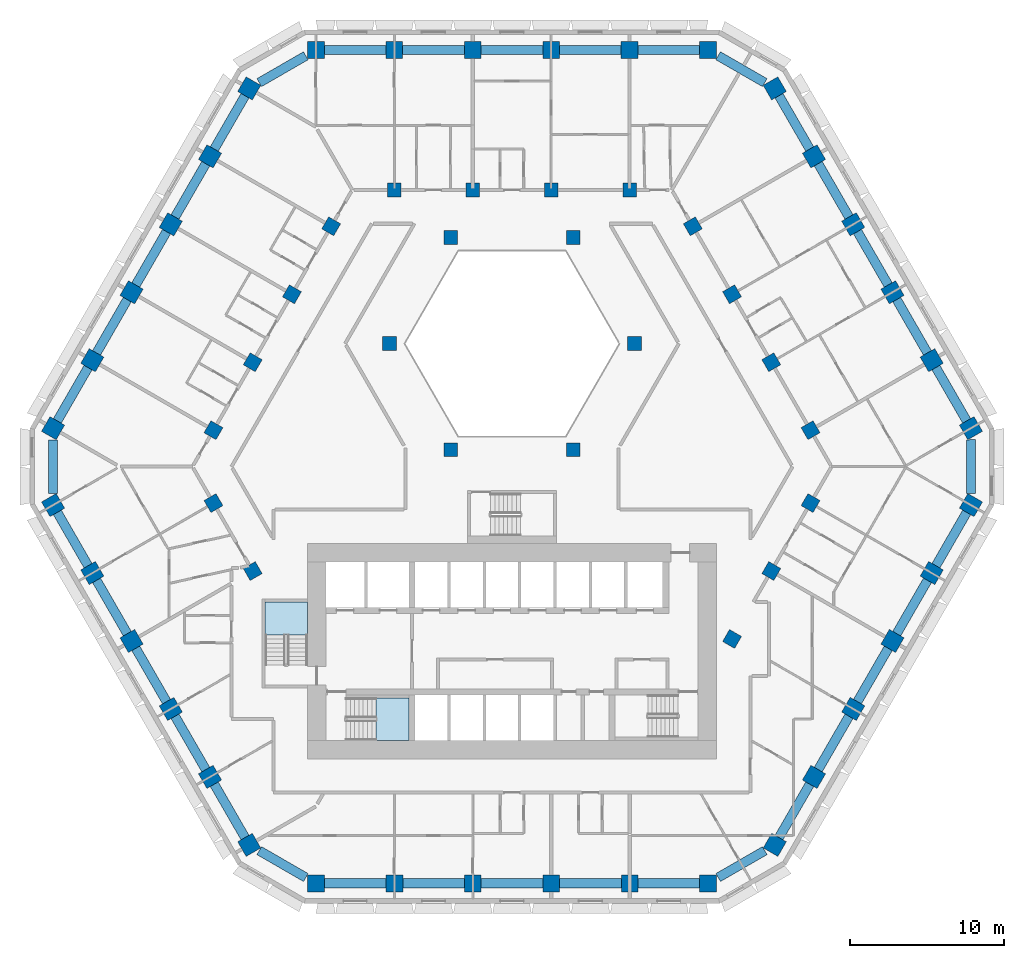
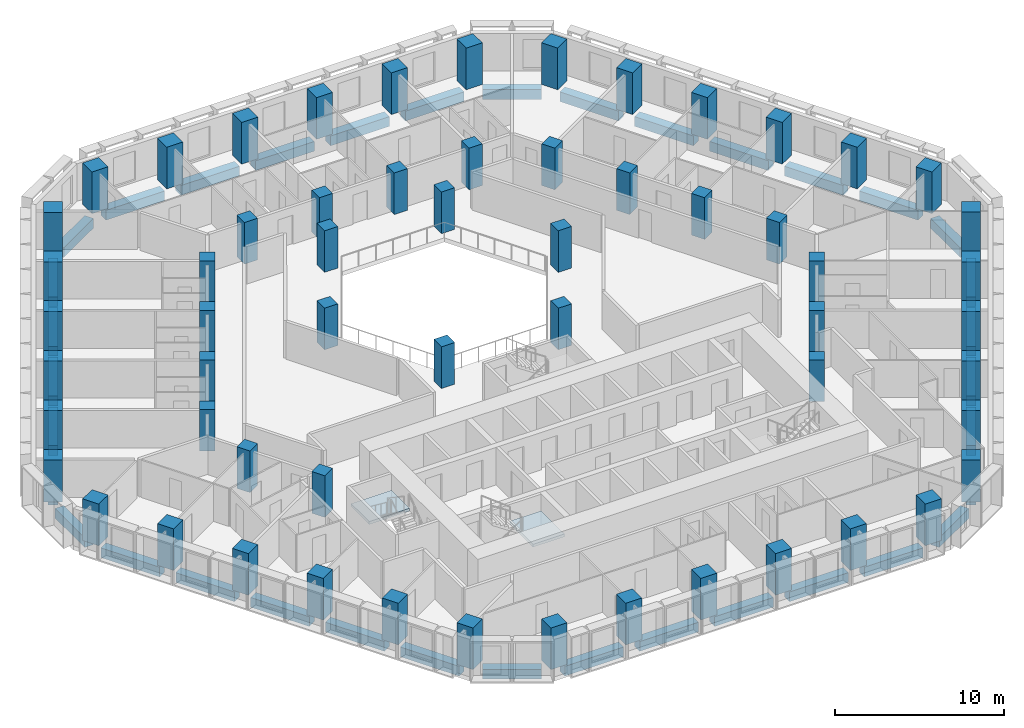
# One storey, part 1 of 16: 59 columns, 36 beams, 2 slabs, 2 elements without a shape of their own.
"""IFC4 building model written with IfcOpenShell, lengths in metres."""

from ifc_helpers import new_model, si_unit, direction, frame, origin, origin_2d, place, context, subcontext, project, spatial, polyline, rectangle, outline, extrude, material, layer, layer_set, material_profile, profile_set, type_object, element, aggregate, save


model = new_model("IFC4")

# Units and contexts
model_context = context("Model", 3, precision=1e-05, world=origin(), true_north=direction((0.0, 1.0)))
body_context = subcontext(model_context, "Body", "Model", "MODEL_VIEW")
ifc_project = project(units=[si_unit("LENGTHUNIT", "METRE"), si_unit("AREAUNIT", "SQUARE_METRE"), si_unit("VOLUMEUNIT", "CUBIC_METRE"), si_unit("PLANEANGLEUNIT", "RADIAN"), si_unit("MASSUNIT", "GRAM", prefix="KILO")], contexts=[model_context])

# Site, building, storey
site_placement = place(None, origin())
site = spatial("IfcSite", under=ifc_project, at=site_placement, CompositionType="ELEMENT")
building_placement = place(site_placement, origin())
building = spatial("IfcBuilding", under=site, at=building_placement, Name="Beryl Residences", CompositionType="ELEMENT")
storey_placement = place(building_placement, frame((0.0, 0.0, 26.39990234375)))
storey = spatial("IfcBuildingStorey", under=building, at=storey_placement, Name="L07", CompositionType="ELEMENT", Elevation=26.39990234375)

# Columns
ifc_material_1 = material(Name="Concrete C80/95", Category="concrete")
ifc_material_profile_1 = material_profile(ifc_material_1, rectangle(XDim=1.10009765625, YDim=1.10009765625, at=origin_2d()))
ifc_profile_set_1 = profile_set([ifc_material_profile_1], Name="Concrete C80/95")
column_type_1 = type_object("IfcColumnType", Name="C1 tube column 1100 x 1100 C80/95", PredefinedType="COLUMN", material=ifc_profile_set_1)
for number, where, z_axis, x_axis, name in (
    (1, (12.759033203125, 27.10009765625, 0.0), (0.0, 0.0, 1.0), (-1.0, 0.0, 0.0), "C1-N1 L07"),
    (2, (7.655029296875, 27.10009765625, 0.0), (0.0, 0.0, 1.0), (-1.0, 0.0, 0.0), "C1-N2 L07"),
    (3, (2.551025390625, 27.10009765625, 0.0), (0.0, 0.0, 1.0), (-1.0, 0.0, 0.0), "C1-N3 L07"),
    (4, (-2.552978515625, 27.10009765625, 0.0), (0.0, 0.0, 1.0), (-1.0, 0.0, 0.0), "C1-N4 L07"),
    (5, (-7.656982421875, 27.10009765625, 0.0), (0.0, 0.0, 1.0), (-1.0, 0.0, 0.0), "C1-N5 L07"),
    (6, (-12.760986328125, 27.10009765625, 0.0), (0.0, 0.0, 1.0), (-1.0, 0.0, 0.0), "C1-N6 L07"),
    (7, (-17.090087890625, 24.60009765625, 0.0), (0.0, 0.0, 1.0), (-0.499984884929, -0.866034130299, 0.0), "C1-NW1 L07"),
    (8, (-19.64208984375, 20.179931640625, 0.0), (0.0, 0.0, 1.0), (-0.499984884929, -0.866034130299, 0.0), "C1-NW2 L07"),
    (9, (-22.194091796875, 15.759033203125, 0.0), (0.0, 0.0, 1.0), (-0.499984884929, -0.866034130299, 0.0), "C1-NW3 L07"),
    (10, (-24.74609375, 11.339111328125, 0.0), (0.0, 0.0, 1.0), (-0.499984884929, -0.866034130299, 0.0), "C1-NW4 L07"),
    (11, (-27.298095703125, 6.9189453125, 0.0), (0.0, 0.0, 1.0), (-0.499984884929, -0.866034130299, 0.0), "C1-NW5 L07"),
    (12, (-29.84912109375, 2.4990234375, 0.0), (0.0, 0.0, 1.0), (-0.499984884929, -0.866034130299, 0.0), "C1-NW6 L07"),
    (13, (-29.847900390625, -2.5, 0.0), (0.0, 0.0, 1.0), (0.499984884929, -0.866034130299, 0.0), "C1-SW1 L07"),
    (14, (-27.297119140625, -6.9208984375, 0.0), (0.0, 0.0, 1.0), (0.499984884929, -0.866034130299, 0.0), "C1-SW2 L07"),
    (15, (-24.7451171875, -11.341064453125, 0.0), (0.0, 0.0, 1.0), (0.499984884929, -0.866034130299, 0.0), "C1-SW3 L07"),
    (16, (-22.193115234375, -15.760986328125, 0.0), (0.0, 0.0, 1.0), (0.499984884929, -0.866034130299, 0.0), "C1-SW4 L07"),
    (17, (-19.64111328125, -20.180908203125, 0.0), (0.0, 0.0, 1.0), (0.499984884929, -0.866034130299, 0.0), "C1-SW5 L07"),
    (18, (-17.089111328125, -24.60107421875, 0.0), (0.0, 0.0, 1.0), (0.499984884929, -0.866034130299, 0.0), "C1-SW6 L07"),
    (19, (-12.759033203125, -27.10009765625, 0.0), (0.0, 0.0, 1.0), (1.0, 0.0, 0.0), "C1-S1 L07"),
    (20, (-7.655029296875, -27.10009765625, 0.0), (0.0, 0.0, 1.0), (1.0, 0.0, 0.0), "C1-S2 L07"),
    (21, (-2.551025390625, -27.10009765625, 0.0), (0.0, 0.0, 1.0), (1.0, 0.0, 0.0), "C1-S3 L07"),
    (22, (2.552978515625, -27.10009765625, 0.0), (0.0, 0.0, 1.0), (1.0, 0.0, 0.0), "C1-S4 L07"),
    (23, (7.656982421875, -27.10009765625, 0.0), (0.0, 0.0, 1.0), (1.0, 0.0, 0.0), "C1-S5 L07"),
    (24, (12.760986328125, -27.10009765625, 0.0), (0.0, 0.0, 1.0), (1.0, 0.0, 0.0), "C1-S6 L07"),
    (25, (17.090087890625, -24.60009765625, 0.0), (0.0, 0.0, 1.0), (0.499984884929, 0.866034130299, 0.0), "C1-SE1 L07"),
    (26, (19.64208984375, -20.179931640625, 0.0), (0.0, 0.0, 1.0), (0.499984884929, 0.866034130299, 0.0), "C1-SE2 L07"),
    (27, (22.194091796875, -15.759033203125, 0.0), (0.0, 0.0, 1.0), (0.499984884929, 0.866034130299, 0.0), "C1-SE3 L07"),
    (28, (24.74609375, -11.339111328125, 0.0), (0.0, 0.0, 1.0), (0.499984884929, 0.866034130299, 0.0), "C1-SE4 L07"),
    (29, (27.298095703125, -6.9189453125, 0.0), (0.0, 0.0, 1.0), (0.499984884929, 0.866034130299, 0.0), "C1-SE5 L07"),
    (30, (29.84912109375, -2.4990234375, 0.0), (0.0, 0.0, 1.0), (0.499984884929, 0.866034130299, 0.0), "C1-SE6 L07"),
    (31, (29.847900390625, 2.5, 0.0), (0.0, 0.0, 1.0), (-0.499984884929, 0.866034130299, 0.0), "C1-NE1 L07"),
    (32, (27.297119140625, 6.9208984375, 0.0), (0.0, 0.0, 1.0), (-0.499984884929, 0.866034130299, 0.0), "C1-NE2 L07"),
    (33, (24.7451171875, 11.341064453125, 0.0), (0.0, 0.0, 1.0), (-0.499984884929, 0.866034130299, 0.0), "C1-NE3 L07"),
    (34, (22.193115234375, 15.760986328125, 0.0), (0.0, 0.0, 1.0), (-0.499984884929, 0.866034130299, 0.0), "C1-NE4 L07"),
    (35, (19.64111328125, 20.180908203125, 0.0), (0.0, 0.0, 1.0), (-0.499984884929, 0.866034130299, 0.0), "C1-NE5 L07"),
    (36, (17.089111328125, 24.60107421875, 0.0), (0.0, 0.0, 1.0), (-0.499984884929, 0.866034130299, 0.0), "C1-NE6 L07"),
):
    element("IfcColumn", number, at=place(storey_placement, frame(where, z_axis=z_axis, x_axis=x_axis)), inside=storey, type_object=column_type_1, Name=name, PredefinedType="COLUMN", context=body_context, shape_type="SweptSolid", body=[
        extrude(rectangle(XDim=1.10009765625, YDim=1.10009765625, at=origin_2d()), origin(), (0.0, 0.0, 1.0), 3.0),
    ])
ifc_material_2 = material(Name="Concrete C80/95", Category="concrete")
ifc_material_profile_2 = material_profile(ifc_material_2, rectangle(XDim=0.89990234375, YDim=0.89990234375, at=origin_2d()))
ifc_profile_set_2 = profile_set([ifc_material_profile_2], Name="Concrete C80/95")
column_type_2 = type_object("IfcColumnType", Name="IC1 interior column 900 x 900 C80/95", PredefinedType="COLUMN", material=ifc_profile_set_2)
for number, where, z_axis, x_axis, name in (
    (37, (-19.416015625, -2.37109375, 0.0), (0.0, 0.0, 1.0), (0.499984884929, -0.866034130299, 0.0), "IC1-M01 L07"),
    (38, (-16.864013671875, -6.791015625, 0.0), (0.0, 0.0, 1.0), (0.499984884929, -0.866034130299, 0.0), "IC1-M02 L07"),
    (39, (14.31298828125, -11.208984375, 0.0), (0.0, 0.0, 1.0), (0.499984884929, 0.866034130299, 0.0), "IC1-M03 L07"),
    (40, (16.864990234375, -6.7890625, 0.0), (0.0, 0.0, 1.0), (0.499984884929, 0.866034130299, 0.0), "IC1-M04 L07"),
    (41, (19.4169921875, -2.368896484375, 0.0), (0.0, 0.0, 1.0), (0.499984884929, 0.866034130299, 0.0), "IC1-M05 L07"),
    (42, (19.416015625, 2.37109375, 0.0), (0.0, 0.0, 1.0), (-0.499984884929, 0.866034130299, 0.0), "IC1-M06 L07"),
    (43, (3.98388671875, 1.10009765625, 0.0), (0.0, 0.0, 1.0), (1.0, 0.0, 0.0), "IC1-A07 L07"),
    (44, (16.864013671875, 6.791015625, 0.0), (0.0, 0.0, 1.0), (-0.499984884929, 0.866034130299, 0.0), "IC1-M08 L07"),
    (45, (14.31201171875, 11.2109375, 0.0), (0.0, 0.0, 1.0), (-0.499984884929, 0.866034130299, 0.0), "IC1-M09 L07"),
    (46, (7.967041015625, 8.0, 0.0), (0.0, 0.0, 1.0), (1.0, 0.0, 0.0), "IC1-A10 L07"),
    (47, (11.760009765625, 15.631103515625, 0.0), (0.0, 0.0, 1.0), (-0.499984884929, 0.866034130299, 0.0), "IC1-M11 L07"),
    (48, (7.655029296875, 18.0, 0.0), (0.0, 0.0, 1.0), (-1.0, 0.0, 0.0), "IC1-M12 L07"),
    (49, (3.98388671875, 14.89990234375, 0.0), (0.0, 0.0, 1.0), (1.0, 0.0, 0.0), "IC1-A13 L07"),
    (50, (2.551025390625, 18.0, 0.0), (0.0, 0.0, 1.0), (-1.0, 0.0, 0.0), "IC1-M14 L07"),
    (51, (-2.552978515625, 18.0, 0.0), (0.0, 0.0, 1.0), (-1.0, 0.0, 0.0), "IC1-M15 L07"),
    (52, (-3.98388671875, 14.89990234375, 0.0), (0.0, 0.0, 1.0), (1.0, 0.0, 0.0), "IC1-A16 L07"),
    (53, (-7.656982421875, 18.0, 0.0), (0.0, 0.0, 1.0), (-1.0, 0.0, 0.0), "IC1-M17 L07"),
    (54, (-11.760986328125, 15.6298828125, 0.0), (0.0, 0.0, 1.0), (-0.499984884929, -0.866034130299, 0.0), "IC1-M18 L07"),
    (55, (-7.967041015625, 8.0, 0.0), (0.0, 0.0, 1.0), (1.0, 0.0, 0.0), "IC1-A19 L07"),
    (56, (-14.31298828125, 11.208984375, 0.0), (0.0, 0.0, 1.0), (-0.499984884929, -0.866034130299, 0.0), "IC1-M20 L07"),
    (57, (-16.864990234375, 6.7890625, 0.0), (0.0, 0.0, 1.0), (-0.499984884929, -0.866034130299, 0.0), "IC1-M21 L07"),
    (58, (-3.98388671875, 1.10009765625, 0.0), (0.0, 0.0, 1.0), (1.0, 0.0, 0.0), "IC1-A22 L07"),
    (59, (-19.4169921875, 2.368896484375, 0.0), (0.0, 0.0, 1.0), (-0.499984884929, -0.866034130299, 0.0), "IC1-M23 L07"),
):
    element("IfcColumn", number, at=place(storey_placement, frame(where, z_axis=z_axis, x_axis=x_axis)), inside=storey, type_object=column_type_2, Name=name, PredefinedType="COLUMN", context=body_context, shape_type="SweptSolid", body=[
        extrude(rectangle(XDim=0.89990234375, YDim=0.89990234375, at=origin_2d()), origin(), (0.0, 0.0, 1.0), 3.0),
    ])

# Beams
ifc_material_3 = material(Name="Concrete C80/95", Category="concrete")
ifc_material_profile_3 = material_profile(ifc_material_3, rectangle(XDim=0.60009765625, YDim=0.699951171875, at=origin_2d()))
ifc_profile_set_3 = profile_set([ifc_material_profile_3], Name="Concrete C80/95")
beam_type = type_object("IfcBeamType", Name="SB1 spandrel beam 600 x 700 C80/95", PredefinedType="SPANDREL", material=ifc_profile_set_3)
for number, where, z_axis, x_axis, name in (
    (60, (12.208984375, 27.10009765625, -0.64990234375), (-1.0, 0.0, 0.0), (0.0, -1.0, 0.0), "SB1 L07 N-0"),
    (61, (7.10498046875, 27.10009765625, -0.64990234375), (-1.0, 0.0, 0.0), (0.0, -1.0, 0.0), "SB1 L07 N-1"),
    (62, (2.0009765625, 27.10009765625, -0.64990234375), (-1.0, 0.0, 0.0), (0.0, -1.0, 0.0), "SB1 L07 N-2"),
    (63, (-3.10302734375, 27.10009765625, -0.64990234375), (-1.0, 0.0, 0.0), (0.0, -1.0, 0.0), "SB1 L07 N-3"),
    (64, (-8.20703125, 27.10009765625, -0.64990234375), (-1.0, 0.0, 0.0), (0.0, -1.0, 0.0), "SB1 L07 N-4"),
):
    element("IfcBeam", number, at=place(storey_placement, frame(where, z_axis=z_axis, x_axis=x_axis)), inside=storey, type_object=beam_type, Name=name, PredefinedType="SPANDREL", context=body_context, shape_type="SweptSolid", body=[
        extrude(rectangle(XDim=0.60009765625, YDim=0.699951171875, at=origin_2d()), origin(), (0.0, 0.0, 1.0), 4.00390625),
    ])
beam_1_placement = place(storey_placement, frame((-13.410888671875, 26.72412109375, -0.64990234375), z_axis=(-0.866121658299, -0.499833245218, 0.0), x_axis=(0.499833245218, -0.866121658299, 0.0)))
element("IfcBeam", 65, at=beam_1_placement, inside=storey, type_object=beam_type, Name="SB1 L07 N-5", PredefinedType="SPANDREL", context=body_context, shape_type="SweptSolid", body=[
    extrude(rectangle(XDim=0.60009765625, YDim=0.699951171875, at=origin_2d()), origin(), (0.0, 0.0, 1.0), 3.497314453125),
])
beam_2_placement = place(storey_placement, frame((-17.364990234375, 24.1240234375, -0.64990234375), z_axis=(-0.499942357345, -0.866058681229, 0.0), x_axis=(0.866058681229, -0.499942357345, 0.0)))
element("IfcBeam", 66, at=beam_2_placement, inside=storey, type_object=beam_type, Name="SB1 L07 NW-0", PredefinedType="SPANDREL", context=body_context, shape_type="SweptSolid", body=[
    extrude(rectangle(XDim=0.60009765625, YDim=0.699951171875, at=origin_2d()), origin(), (0.0, 0.0, 1.0), 4.00439453125),
])
beam_3_placement = place(storey_placement, frame((-19.9169921875, 19.7041015625, -0.64990234375), z_axis=(-0.499836783367, -0.866119616446, 0.0), x_axis=(0.866119616446, -0.499836783367, 0.0)))
element("IfcBeam", 67, at=beam_3_placement, inside=storey, type_object=beam_type, Name="SB1 L07 NW-1", PredefinedType="SPANDREL", context=body_context, shape_type="SweptSolid", body=[
    extrude(rectangle(XDim=0.60009765625, YDim=0.699951171875, at=origin_2d()), origin(), (0.0, 0.0, 1.0), 4.005126953125),
])
for number, where, z_axis, x_axis, name in (
    (68, (-22.468994140625, 15.282958984375, -0.64990234375), (-0.499942357345, -0.866058681229, 0.0), (0.866058681229, -0.499942357345, 0.0), "SB1 L07 NW-2"),
    (69, (-25.02099609375, 10.863037109375, -0.64990234375), (-0.499942357345, -0.866058681229, 0.0), (0.866058681229, -0.499942357345, 0.0), "SB1 L07 NW-3"),
):
    element("IfcBeam", number, at=place(storey_placement, frame(where, z_axis=z_axis, x_axis=x_axis)), inside=storey, type_object=beam_type, Name=name, PredefinedType="SPANDREL", context=body_context, shape_type="SweptSolid", body=[
        extrude(rectangle(XDim=0.60009765625, YDim=0.699951171875, at=origin_2d()), origin(), (0.0, 0.0, 1.0), 4.00439453125),
    ])
beam_4_placement = place(storey_placement, frame((-27.572998046875, 6.443115234375, -0.64990234375), z_axis=(-0.499759404093, -0.866164267342, 0.0), x_axis=(0.866164267342, -0.499759404093, 0.0)))
element("IfcBeam", 70, at=beam_4_placement, inside=storey, type_object=beam_type, Name="SB1 L07 NW-4", PredefinedType="SPANDREL", context=body_context, shape_type="SweptSolid", body=[
    extrude(rectangle(XDim=0.60009765625, YDim=0.699951171875, at=origin_2d()), origin(), (0.0, 0.0, 1.0), 4.00390625),
])
beam_5_placement = place(storey_placement, frame((-29.84912109375, 1.748046875, -0.64990234375), z_axis=(0.000349064486, -0.999999939077, 0.0), x_axis=(0.999999939077, 0.000349064486, 0.0)))
element("IfcBeam", 71, at=beam_5_placement, inside=storey, type_object=beam_type, Name="SB1 L07 NW-5", PredefinedType="SPANDREL", context=body_context, shape_type="SweptSolid", body=[
    extrude(rectangle(XDim=0.60009765625, YDim=0.699951171875, at=origin_2d()), origin(), (0.0, 0.0, 1.0), 3.4970703125),
])
beam_6_placement = place(storey_placement, frame((-29.572998046875, -2.97607421875, -0.64990234375), z_axis=(0.499653843024, -0.866225165388, 0.0), x_axis=(0.866225165388, 0.499653843024, 0.0)))
element("IfcBeam", 72, at=beam_6_placement, inside=storey, type_object=beam_type, Name="SB1 L07 SW-0", PredefinedType="SPANDREL", context=body_context, shape_type="SweptSolid", body=[
    extrude(rectangle(XDim=0.60009765625, YDim=0.699951171875, at=origin_2d()), origin(), (0.0, 0.0, 1.0), 4.004638671875),
])
for number, where, z_axis, x_axis, name in (
    (73, (-27.02197265625, -7.39697265625, -0.64990234375), (0.499942357345, -0.866058681229, 0.0), (0.866058681229, 0.499942357345, 0.0), "SB1 L07 SW-1"),
    (74, (-24.469970703125, -11.81689453125, -0.64990234375), (0.499942357345, -0.866058681229, 0.0), (0.866058681229, 0.499942357345, 0.0), "SB1 L07 SW-2"),
    (75, (-21.91796875, -16.237060546875, -0.64990234375), (0.499942357345, -0.866058681229, 0.0), (0.866058681229, 0.499942357345, 0.0), "SB1 L07 SW-3"),
    (76, (-19.365966796875, -20.656982421875, -0.64990234375), (0.499942357345, -0.866058681229, 0.0), (0.866058681229, 0.499942357345, 0.0), "SB1 L07 SW-4"),
):
    element("IfcBeam", number, at=place(storey_placement, frame(where, z_axis=z_axis, x_axis=x_axis)), inside=storey, type_object=beam_type, Name=name, PredefinedType="SPANDREL", context=body_context, shape_type="SweptSolid", body=[
        extrude(rectangle(XDim=0.60009765625, YDim=0.699951171875, at=origin_2d()), origin(), (0.0, 0.0, 1.0), 4.00439453125),
    ])
beam_7_placement = place(storey_placement, frame((-16.43896484375, -24.97607421875, -0.64990234375), z_axis=(0.866070549782, -0.499921796684, 0.0), x_axis=(0.499921796684, 0.866070549782, 0.0)))
element("IfcBeam", 77, at=beam_7_placement, inside=storey, type_object=beam_type, Name="SB1 L07 SW-5", PredefinedType="SPANDREL", context=body_context, shape_type="SweptSolid", body=[
    extrude(rectangle(XDim=0.60009765625, YDim=0.699951171875, at=origin_2d()), origin(), (0.0, 0.0, 1.0), 3.49853515625),
])
for number, where, z_axis, x_axis, name in (
    (78, (-12.208984375, -27.10009765625, -0.64990234375), (1.0, 0.0, 0.0), (0.0, 1.0, 0.0), "SB1 L07 S-0"),
    (79, (-7.10498046875, -27.10009765625, -0.64990234375), (1.0, 0.0, 0.0), (0.0, 1.0, 0.0), "SB1 L07 S-1"),
    (80, (-2.0009765625, -27.10009765625, -0.64990234375), (1.0, 0.0, 0.0), (0.0, 1.0, 0.0), "SB1 L07 S-2"),
    (81, (3.10302734375, -27.10009765625, -0.64990234375), (1.0, 0.0, 0.0), (0.0, 1.0, 0.0), "SB1 L07 S-3"),
    (82, (8.20703125, -27.10009765625, -0.64990234375), (1.0, 0.0, 0.0), (0.0, 1.0, 0.0), "SB1 L07 S-4"),
):
    element("IfcBeam", number, at=place(storey_placement, frame(where, z_axis=z_axis, x_axis=x_axis)), inside=storey, type_object=beam_type, Name=name, PredefinedType="SPANDREL", context=body_context, shape_type="SweptSolid", body=[
        extrude(rectangle(XDim=0.60009765625, YDim=0.699951171875, at=origin_2d()), origin(), (0.0, 0.0, 1.0), 4.00390625),
    ])
beam_8_placement = place(storey_placement, frame((13.410888671875, -26.72412109375, -0.64990234375), z_axis=(0.866121658299, 0.499833245218, 0.0), x_axis=(-0.499833245218, 0.866121658299, 0.0)))
element("IfcBeam", 83, at=beam_8_placement, inside=storey, type_object=beam_type, Name="SB1 L07 S-5", PredefinedType="SPANDREL", context=body_context, shape_type="SweptSolid", body=[
    extrude(rectangle(XDim=0.60009765625, YDim=0.699951171875, at=origin_2d()), origin(), (0.0, 0.0, 1.0), 3.497314453125),
])
beam_9_placement = place(storey_placement, frame((17.364990234375, -24.1240234375, -0.64990234375), z_axis=(0.499942357345, 0.866058681229, 0.0), x_axis=(-0.866058681229, 0.499942357345, 0.0)))
element("IfcBeam", 84, at=beam_9_placement, inside=storey, type_object=beam_type, Name="SB1 L07 SE-0", PredefinedType="SPANDREL", context=body_context, shape_type="SweptSolid", body=[
    extrude(rectangle(XDim=0.60009765625, YDim=0.699951171875, at=origin_2d()), origin(), (0.0, 0.0, 1.0), 4.00439453125),
])
beam_10_placement = place(storey_placement, frame((19.9169921875, -19.7041015625, -0.64990234375), z_axis=(0.499836783367, 0.866119616446, 0.0), x_axis=(-0.866119616446, 0.499836783367, 0.0)))
element("IfcBeam", 85, at=beam_10_placement, inside=storey, type_object=beam_type, Name="SB1 L07 SE-1", PredefinedType="SPANDREL", context=body_context, shape_type="SweptSolid", body=[
    extrude(rectangle(XDim=0.60009765625, YDim=0.699951171875, at=origin_2d()), origin(), (0.0, 0.0, 1.0), 4.005126953125),
])
for number, where, z_axis, x_axis, name in (
    (86, (22.468994140625, -15.282958984375, -0.64990234375), (0.499942357345, 0.866058681229, 0.0), (-0.866058681229, 0.499942357345, 0.0), "SB1 L07 SE-2"),
    (87, (25.02099609375, -10.863037109375, -0.64990234375), (0.499942357345, 0.866058681229, 0.0), (-0.866058681229, 0.499942357345, 0.0), "SB1 L07 SE-3"),
):
    element("IfcBeam", number, at=place(storey_placement, frame(where, z_axis=z_axis, x_axis=x_axis)), inside=storey, type_object=beam_type, Name=name, PredefinedType="SPANDREL", context=body_context, shape_type="SweptSolid", body=[
        extrude(rectangle(XDim=0.60009765625, YDim=0.699951171875, at=origin_2d()), origin(), (0.0, 0.0, 1.0), 4.00439453125),
    ])
beam_11_placement = place(storey_placement, frame((27.572998046875, -6.443115234375, -0.64990234375), z_axis=(0.499759404093, 0.866164267342, 0.0), x_axis=(-0.866164267342, 0.499759404093, 0.0)))
element("IfcBeam", 88, at=beam_11_placement, inside=storey, type_object=beam_type, Name="SB1 L07 SE-4", PredefinedType="SPANDREL", context=body_context, shape_type="SweptSolid", body=[
    extrude(rectangle(XDim=0.60009765625, YDim=0.699951171875, at=origin_2d()), origin(), (0.0, 0.0, 1.0), 4.00390625),
])
beam_12_placement = place(storey_placement, frame((29.84912109375, -1.748046875, -0.64990234375), z_axis=(-0.000349064486, 0.999999939077, 0.0), x_axis=(-0.999999939077, -0.000349064486, 0.0)))
element("IfcBeam", 89, at=beam_12_placement, inside=storey, type_object=beam_type, Name="SB1 L07 SE-5", PredefinedType="SPANDREL", context=body_context, shape_type="SweptSolid", body=[
    extrude(rectangle(XDim=0.60009765625, YDim=0.699951171875, at=origin_2d()), origin(), (0.0, 0.0, 1.0), 3.4970703125),
])
beam_13_placement = place(storey_placement, frame((29.572998046875, 2.97607421875, -0.64990234375), z_axis=(-0.499653843024, 0.866225165388, 0.0), x_axis=(-0.866225165388, -0.499653843024, 0.0)))
element("IfcBeam", 90, at=beam_13_placement, inside=storey, type_object=beam_type, Name="SB1 L07 NE-0", PredefinedType="SPANDREL", context=body_context, shape_type="SweptSolid", body=[
    extrude(rectangle(XDim=0.60009765625, YDim=0.699951171875, at=origin_2d()), origin(), (0.0, 0.0, 1.0), 4.004638671875),
])
for number, where, z_axis, x_axis, name in (
    (91, (27.02197265625, 7.39697265625, -0.64990234375), (-0.499942357345, 0.866058681229, 0.0), (-0.866058681229, -0.499942357345, 0.0), "SB1 L07 NE-1"),
    (92, (24.469970703125, 11.81689453125, -0.64990234375), (-0.499942357345, 0.866058681229, 0.0), (-0.866058681229, -0.499942357345, 0.0), "SB1 L07 NE-2"),
    (93, (21.91796875, 16.237060546875, -0.64990234375), (-0.499942357345, 0.866058681229, 0.0), (-0.866058681229, -0.499942357345, 0.0), "SB1 L07 NE-3"),
    (94, (19.365966796875, 20.656982421875, -0.64990234375), (-0.499942357345, 0.866058681229, 0.0), (-0.866058681229, -0.499942357345, 0.0), "SB1 L07 NE-4"),
):
    element("IfcBeam", number, at=place(storey_placement, frame(where, z_axis=z_axis, x_axis=x_axis)), inside=storey, type_object=beam_type, Name=name, PredefinedType="SPANDREL", context=body_context, shape_type="SweptSolid", body=[
        extrude(rectangle(XDim=0.60009765625, YDim=0.699951171875, at=origin_2d()), origin(), (0.0, 0.0, 1.0), 4.00439453125),
    ])
beam_14_placement = place(storey_placement, frame((16.43896484375, 24.97607421875, -0.64990234375), z_axis=(-0.866070549782, 0.499921796684, 0.0), x_axis=(-0.499921796684, -0.866070549782, 0.0)))
element("IfcBeam", 95, at=beam_14_placement, inside=storey, type_object=beam_type, Name="SB1 L07 NE-5", PredefinedType="SPANDREL", context=body_context, shape_type="SweptSolid", body=[
    extrude(rectangle(XDim=0.60009765625, YDim=0.699951171875, at=origin_2d()), origin(), (0.0, 0.0, 1.0), 3.49853515625),
])

# Stair, slab
ifc_material_4 = material(Name="Concrete C40/50", Category="concrete")
stair_type = type_object("IfcStairType", Name="ST1 protected exit stair, half-turn, 1300 mm flights", PredefinedType="HALF_TURN_STAIR", material=ifc_material_4)
stair_1_placement = place(storey_placement, origin())
stair_1 = element("IfcStair", 96, at=stair_1_placement, inside=storey, type_object=stair_type, Name="L07 PROTECTED EXIT STAIR ST-1", PredefinedType="HALF_TURN_STAIR")
ifc_material_5 = material(Name="Concrete C40/50", Category="concrete")
ifc_layer = layer(ifc_material_5, 0.199951171875)
ifc_layer_set = layer_set([ifc_layer], Name="SLD1 stair landing 200 mm")
slab_type = type_object("IfcSlabType", Name="SLD1 stair landing 200 mm", PredefinedType="LANDING", material=ifc_layer_set)
slab_1_placement = place(storey_placement, frame((0.0, 0.0, 1.300048828125)))
slab_1 = element("IfcSlab", 97, at=slab_1_placement, type_object=slab_type, Name="ST-1 landing 1", PredefinedType="LANDING", context=body_context, shape_type="SweptSolid", body=[
    extrude(outline(polyline([(-8.840087890625, -17.800048828125), (-6.699951171875, -17.800048828125), (-6.699951171875, -15.050048828125), (-8.840087890625, -15.050048828125), (-8.840087890625, -17.800048828125)])), origin(), (0.0, 0.0, 1.0), 0.199951171875),
])
aggregate(stair_1, [slab_1])

stair_2_placement = place(storey_placement, origin())
stair_2 = element("IfcStair", 98, at=stair_2_placement, inside=storey, type_object=stair_type, Name="L07 PROTECTED EXIT STAIR ST-2", PredefinedType="HALF_TURN_STAIR")
slab_2_placement = place(storey_placement, frame((0.0, 0.0, 1.300048828125)))
slab_2 = element("IfcSlab", 99, at=slab_2_placement, type_object=slab_type, Name="ST-2 landing 1", PredefinedType="LANDING", context=body_context, shape_type="SweptSolid", body=[
    extrude(outline(polyline([(-13.300048828125, -10.93994140625), (-13.300048828125, -8.800048828125), (-16.050048828125, -8.800048828125), (-16.050048828125, -10.93994140625), (-13.300048828125, -10.93994140625)])), origin(), (0.0, 0.0, 1.0), 0.199951171875),
])
aggregate(stair_2, [slab_2])

save(model, "model.ifc")
